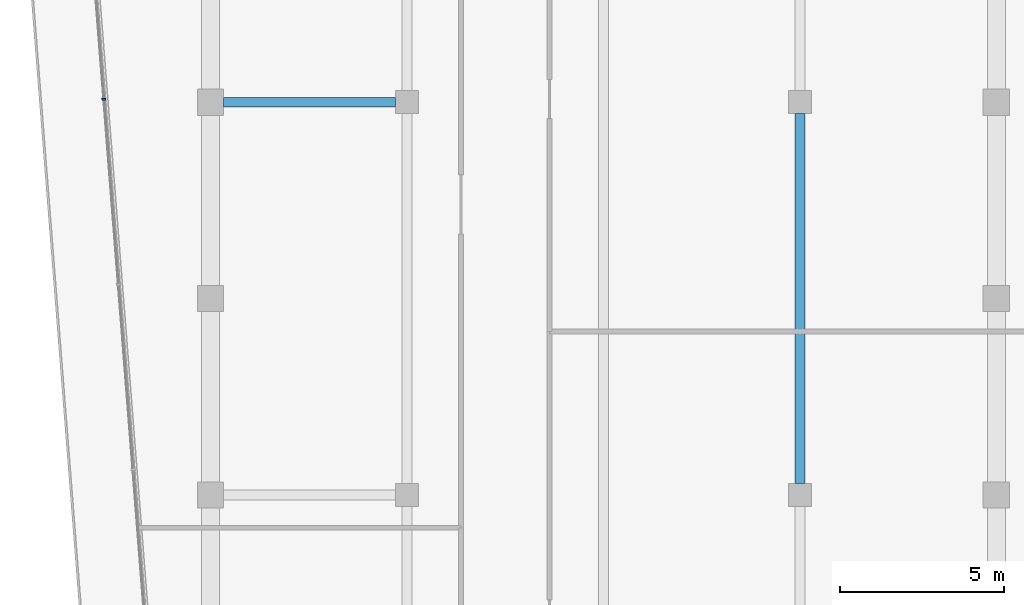
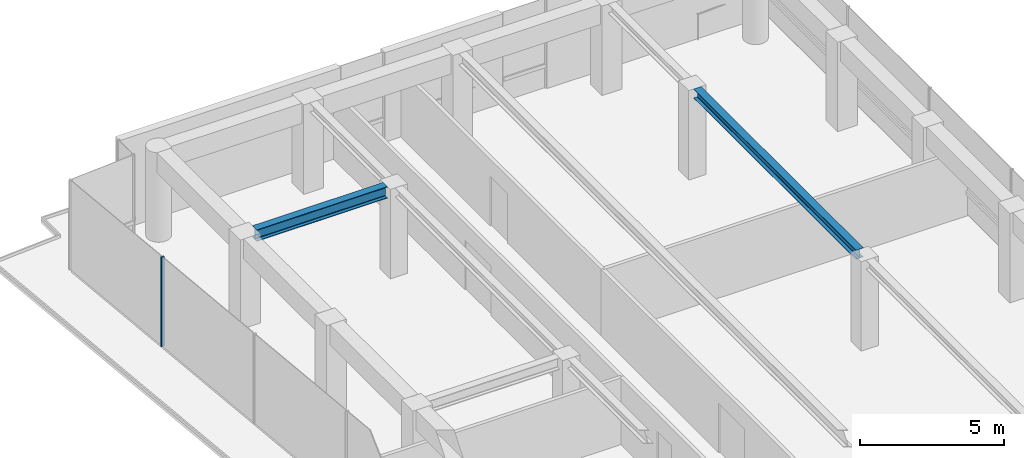
# One storey, part 13 of 23: 2 beams, 1 member, 1 element without a shape of its own.
"""IFC4 building model written with IfcOpenShell, lengths in metres."""

from ifc_helpers import new_model, si_unit, direction, frame, origin, origin_2d, place, context, subcontext, project, spatial, rectangle, i_section, extrude, material, layer, layer_set, material_profile, profile_set, type_object, element, aggregate, save


model = new_model("IFC4")

# Units and contexts
model_context = context("Model", 3, precision=1e-05, world=origin(), true_north=direction((0.0, 1.0)))
body_context = subcontext(model_context, "Body", "Model", "MODEL_VIEW")
ifc_project = project(units=[si_unit("LENGTHUNIT", "METRE"), si_unit("AREAUNIT", "SQUARE_METRE"), si_unit("VOLUMEUNIT", "CUBIC_METRE"), si_unit("PLANEANGLEUNIT", "RADIAN"), si_unit("MASSUNIT", "GRAM", prefix="KILO")], contexts=[model_context])

# Site, building, storey
site_placement = place(None, origin())
site = spatial("IfcSite", under=ifc_project, at=site_placement, CompositionType="ELEMENT")
building_placement = place(site_placement, origin())
building = spatial("IfcBuilding", under=site, at=building_placement, Name="Welwitschia Terrace Campus", CompositionType="ELEMENT")
storey_placement = place(building_placement, frame((0.0, 0.0, 209.60009765625)))
storey = spatial("IfcBuildingStorey", under=building, at=storey_placement, Name="L46", CompositionType="ELEMENT", Elevation=209.60009765625)

# Beam
ifc_material_1 = material(Name="Steel S355", Category="steel")
ifc_material_profile_1 = material_profile(ifc_material_1, i_section(OverallWidth=0.300048828125, OverallDepth=0.389892578125, WebThickness=0.010986328125, FlangeThickness=0.01904296875, FilletRadius=0.027099609375, at=origin_2d()))
ifc_profile_set_1 = profile_set([ifc_material_profile_1], Name="Steel S355")
beam_type_1 = type_object("IfcBeamType", Name="Interior girder HE 400 A", PredefinedType="BEAM", material=ifc_profile_set_1)
beam_1_placement = place(storey_placement, frame((18.0, 52.3505859375, 3.60498046875), z_axis=(0.0, 1.0, 0.0), x_axis=(-1.0, 0.0, 0.0)))
element("IfcBeam", 1, at=beam_1_placement, inside=storey, type_object=beam_type_1, Name="Girder GB5", PredefinedType="BEAM", context=body_context, shape_type="SweptSolid", body=[
    extrude(i_section(OverallWidth=0.300048828125, OverallDepth=0.389892578125, WebThickness=0.010986328125, FlangeThickness=0.01904296875, FilletRadius=0.027099609375, at=origin_2d()), origin(), (0.0, 0.0, 1.0), 11.298828125),
])

# Curtain wall, member
ifc_material_2 = material(Name="Bronze anodised aluminium", Category="aluminium")
ifc_layer = layer(ifc_material_2, 0.1201171875)
ifc_layer_set = layer_set([ifc_layer], Name="Bronze anodised aluminium")
curtain_wall_type = type_object("IfcCurtainWallType", Name="Curtain wall CW2 tower 6000", PredefinedType="NOTDEFINED", material=ifc_layer_set)
curtain_wall_placement = place(storey_placement, origin())
curtain_wall = element("IfcCurtainWall", 2, at=curtain_wall_placement, inside=storey, type_object=curtain_wall_type, Name="CW L46.11.0", PredefinedType="NOTDEFINED")
ifc_material_3 = material(Name="Bronze anodised aluminium", Category="aluminium")
ifc_material_profile_2 = material_profile(ifc_material_3, rectangle(XDim=0.1201171875, YDim=0.06005859375, at=origin_2d()))
ifc_profile_set_2 = profile_set([ifc_material_profile_2], Name="Bronze anodised aluminium")
member_type = type_object("IfcMemberType", Name="Mullion 60x120", PredefinedType="MULLION", material=ifc_profile_set_2)
member_placement = place(storey_placement, frame((-3.25634765625, 64.088134765625, 0.0), z_axis=(0.0, 0.0, 1.0), x_axis=(0.996917333733, 0.078459095728, 0.0)))
member = element("IfcMember", 3, at=member_placement, type_object=member_type, Name="Mullion L46.11.0.1", PredefinedType="MULLION", context=body_context, shape_type="SweptSolid", body=[
    extrude(rectangle(XDim=0.1201171875, YDim=0.06005859375, at=origin_2d()), origin(), (0.0, 0.0, 1.0), 3.7998046875),
])
aggregate(curtain_wall, [member])

# Beam
ifc_material_4 = material(Name="Steel S355", Category="steel")
ifc_material_profile_3 = material_profile(ifc_material_4, i_section(OverallWidth=0.300048828125, OverallDepth=0.489990234375, WebThickness=0.011962890625, FlangeThickness=0.02294921875, FilletRadius=0.027099609375, at=origin_2d()))
ifc_profile_set_3 = profile_set([ifc_material_profile_3], Name="Steel S355")
beam_type_2 = type_object("IfcBeamType", Name="Primary beam HE 500 A", PredefinedType="BEAM", material=ifc_profile_set_3)
beam_2_placement = place(storey_placement, frame((0.400390625, 64.0, 3.554931640625), z_axis=(1.0, 0.0, 0.0), x_axis=(0.0, 1.0, 0.0)))
element("IfcBeam", 4, at=beam_2_placement, inside=storey, type_object=beam_type_2, Name="Primary beam PB5", PredefinedType="BEAM", context=body_context, shape_type="SweptSolid", body=[
    extrude(i_section(OverallWidth=0.300048828125, OverallDepth=0.489990234375, WebThickness=0.011962890625, FlangeThickness=0.02294921875, FilletRadius=0.027099609375, at=origin_2d()), origin(), (0.0, 0.0, 1.0), 5.2490234375),
])

save(model, "model.ifc")
